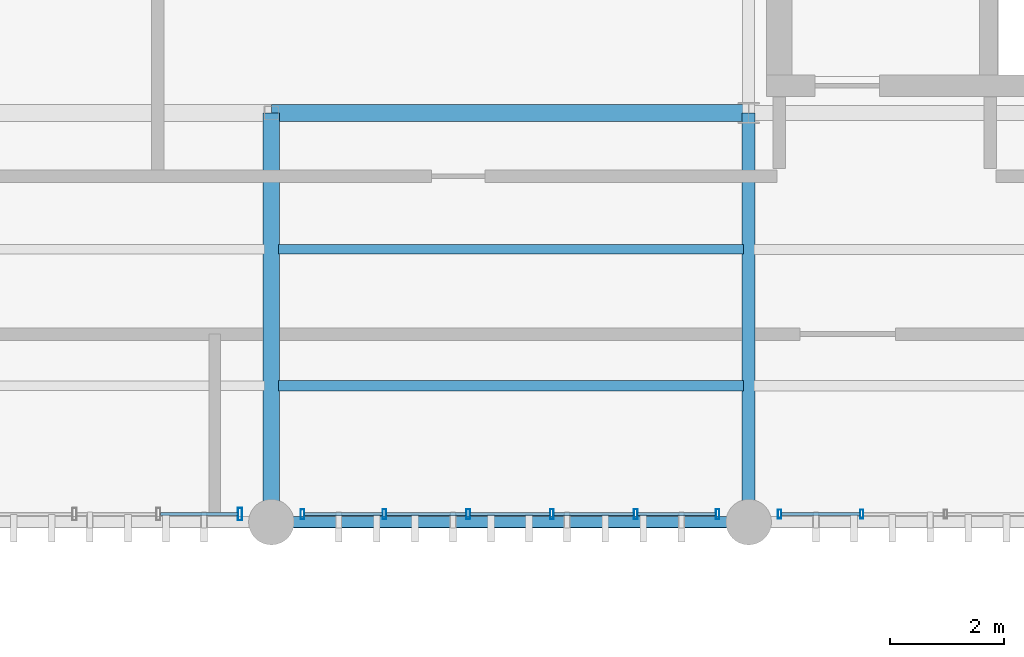
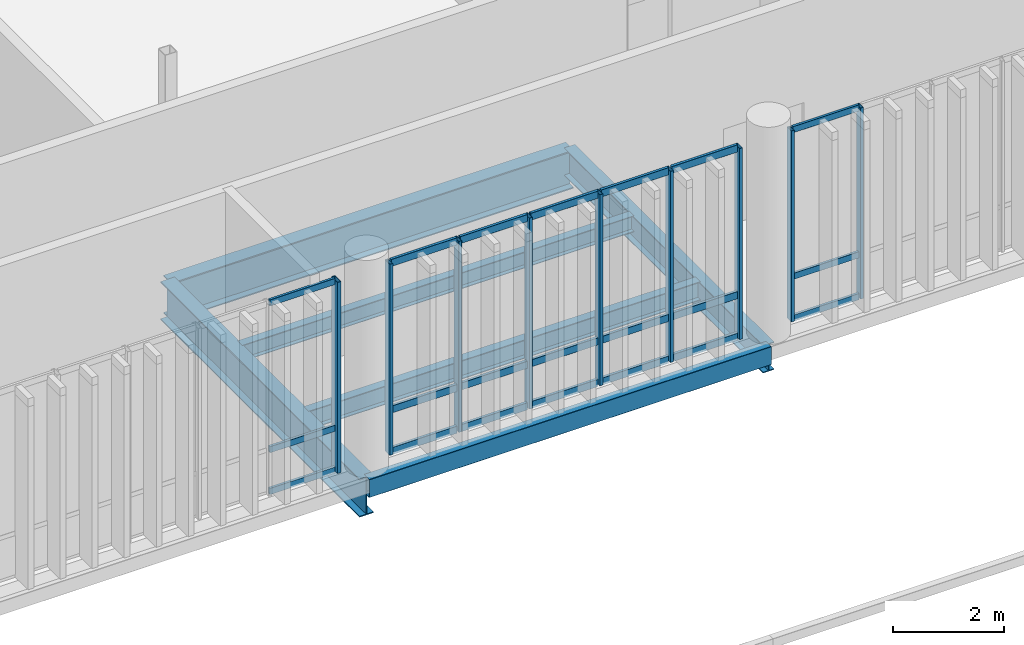
# One storey, part 37 of 94: 30 members, 6 beams, 3 elements without a shape of their own.
"""IFC4 building model written with IfcOpenShell, lengths in metres."""

from ifc_helpers import new_model, si_unit, direction, frame, origin_with_axes, origin_2d_with_axis, place, context, subcontext, project, spatial, hollow_rectangle, i_section, extrude, material, material_profile, profile_set, type_object, element, aggregate, save


model = new_model("IFC4")

# Units and contexts
model_context = context("Model", 3, precision=1e-05, world=origin_with_axes(), true_north=direction((0.0, 1.0)))
body_context = subcontext(model_context, "Body", "Model", "MODEL_VIEW")
ifc_project = project(units=[si_unit("LENGTHUNIT", "METRE"), si_unit("AREAUNIT", "SQUARE_METRE"), si_unit("VOLUMEUNIT", "CUBIC_METRE"), si_unit("PLANEANGLEUNIT", "RADIAN"), si_unit("MASSUNIT", "GRAM", prefix="KILO"), si_unit("THERMODYNAMICTEMPERATUREUNIT", "KELVIN")], contexts=[model_context])

# Site, building, storey
site_placement = place(None, origin_with_axes())
site = spatial("IfcSite", under=ifc_project, at=site_placement, CompositionType="ELEMENT")
building_placement = place(site_placement, origin_with_axes())
building = spatial("IfcBuilding", under=site, at=building_placement, Name="Montbau Bow Law Courts", CompositionType="ELEMENT")
storey_placement = place(building_placement, frame((0.0, 0.0, 15.6), z_axis=(0.0, 0.0, 1.0), x_axis=(1.0, 0.0, 0.0)))
storey = spatial("IfcBuildingStorey", under=building, at=storey_placement, Name="L03", CompositionType="ELEMENT", Elevation=15.6)

# Beams
ifc_material_1 = material(Name="Steel CSA G40.21 Grade 350W (350 MPa)", Category="steel")
ifc_material_profile_1 = material_profile(ifc_material_1, i_section(OverallWidth=0.293, OverallDepth=0.846, WebThickness=0.0154, FlangeThickness=0.0244, at=origin_2d_with_axis()), Name="W840X210", Category="Main", Priority=0)
ifc_profile_set_1 = profile_set([ifc_material_profile_1], Name="Steel CSA G40.21 Grade 350W (350 MPa)")
beam_type_1 = type_object("IfcBeamType", Name="B-FLR-02", PredefinedType="BEAM", material=ifc_profile_set_1)
beam_1_placement = place(None, frame((72.0, 46.2, 14.917), z_axis=(1.0, 0.0, 0.0), x_axis=(0.0, 1.0, 0.0)))
element("IfcBeam", 1, at=beam_1_placement, inside=storey, type_object=beam_type_1, Name="BM-L03-S0883:bm2_0886", PredefinedType="BEAM", context=body_context, shape_type="SweptSolid", body=[
    extrude(i_section(OverallWidth=0.293, OverallDepth=0.846, WebThickness=0.0154, FlangeThickness=0.0244, at=origin_2d_with_axis()), origin_with_axes(), (0.0, 0.0, 1.0), 8.4),
])
beam_2_placement = place(None, frame((72.0, 39.0, 14.917), z_axis=(0.0, 1.0, 0.0), x_axis=(-1.0, 0.0, 0.0)))
element("IfcBeam", 2, at=beam_2_placement, inside=storey, type_object=beam_type_1, Name="BM-L03-S0905:bm2_0908", PredefinedType="BEAM", context=body_context, shape_type="SweptSolid", body=[
    extrude(i_section(OverallWidth=0.293, OverallDepth=0.846, WebThickness=0.0154, FlangeThickness=0.0244, at=origin_2d_with_axis()), origin_with_axes(), (0.0, 0.0, 1.0), 7.2),
])
ifc_material_profile_2 = material_profile(ifc_material_1, i_section(OverallWidth=0.229, OverallDepth=0.612, WebThickness=0.0119, FlangeThickness=0.0196, at=origin_2d_with_axis()), Name="W610X125", Category="Main", Priority=0)
ifc_profile_set_2 = profile_set([ifc_material_profile_2], Name="Steel CSA G40.21 Grade 350W (350 MPa)")
beam_type_2 = type_object("IfcBeamType", Name="B-FLR-05", PredefinedType="BEAM", material=ifc_profile_set_2)
beam_3_placement = place(None, frame((80.4, 39.0, 15.034), z_axis=(0.0, 1.0, 0.0), x_axis=(-1.0, 0.0, 0.0)))
element("IfcBeam", 3, at=beam_3_placement, inside=storey, type_object=beam_type_2, Name="BM-L03-S0907:bm2_0910", PredefinedType="BEAM", context=body_context, shape_type="SweptSolid", body=[
    extrude(i_section(OverallWidth=0.229, OverallDepth=0.612, WebThickness=0.0119, FlangeThickness=0.0196, at=origin_2d_with_axis()), origin_with_axes(), (0.0, 0.0, 1.0), 7.2),
])
ifc_material_profile_3 = material_profile(ifc_material_1, i_section(OverallWidth=0.179, OverallDepth=0.41, WebThickness=0.0088, FlangeThickness=0.0144, at=origin_2d_with_axis()), Name="W410X67", Category="Main", Priority=0)
ifc_profile_set_3 = profile_set([ifc_material_profile_3], Name="Steel CSA G40.21 Grade 350W (350 MPa)")
beam_type_3 = type_object("IfcBeamType", Name="B-JST-02", PredefinedType="JOIST", material=ifc_profile_set_3)
beam_4_placement = place(None, frame((72.123, 41.4, 15.135), z_axis=(1.0, 0.0, 0.0), x_axis=(0.0, 1.0, 0.0)))
element("IfcBeam", 4, at=beam_4_placement, inside=storey, type_object=beam_type_3, Name="JST-L03-S0465:jst2_0465", PredefinedType="JOIST", context=body_context, shape_type="SweptSolid", body=[
    extrude(i_section(OverallWidth=0.179, OverallDepth=0.41, WebThickness=0.0088, FlangeThickness=0.0144, at=origin_2d_with_axis()), origin_with_axes(), (0.0, 0.0, 1.0), 8.186),
])
ifc_material_profile_4 = material_profile(ifc_material_1, i_section(OverallWidth=0.172, OverallDepth=0.358, WebThickness=0.0079, FlangeThickness=0.0131, at=origin_2d_with_axis()), Name="W360X57", Category="Main", Priority=0)
ifc_profile_set_4 = profile_set([ifc_material_profile_4], Name="Steel CSA G40.21 Grade 350W (350 MPa)")
beam_type_4 = type_object("IfcBeamType", Name="B-JST-03", PredefinedType="JOIST", material=ifc_profile_set_4)
beam_5_placement = place(None, frame((72.123, 43.8, 15.161), z_axis=(1.0, 0.0, 0.0), x_axis=(0.0, 1.0, 0.0)))
element("IfcBeam", 5, at=beam_5_placement, inside=storey, type_object=beam_type_4, Name="JST-L03-S0466:jst2_0466", PredefinedType="JOIST", context=body_context, shape_type="SweptSolid", body=[
    extrude(i_section(OverallWidth=0.172, OverallDepth=0.358, WebThickness=0.0079, FlangeThickness=0.0131, at=origin_2d_with_axis()), origin_with_axes(), (0.0, 0.0, 1.0), 8.186),
])
ifc_material_2 = material(Name="Steel CSA G40.21 Grade 350WT (350 MPa)", Category="steel")
ifc_material_profile_5 = material_profile(ifc_material_2, hollow_rectangle(XDim=0.203, YDim=0.406, WallThickness=0.0127, InnerFilletRadius=0.0254, OuterFilletRadius=0.0127, at=origin_2d_with_axis()), Name="HSS406X203X13", Category="Main", Priority=0)
ifc_profile_set_5 = profile_set([ifc_material_profile_5], Name="Steel CSA G40.21 Grade 350WT (350 MPa)")
beam_type_5 = type_object("IfcBeamType", Name="B-SPN-01", PredefinedType="SPANDREL", material=ifc_profile_set_5)
beam_6_placement = place(None, frame((72.0, 39.0, 15.137), z_axis=(1.0, 0.0, 0.0), x_axis=(0.0, 1.0, 0.0)))
element("IfcBeam", 6, at=beam_6_placement, inside=storey, type_object=beam_type_5, Name="SPN-L03-S0877:bm2_0880", PredefinedType="SPANDREL", context=body_context, shape_type="SweptSolid", body=[
    extrude(hollow_rectangle(XDim=0.203, YDim=0.406, WallThickness=0.0127, InnerFilletRadius=0.0254, OuterFilletRadius=0.0127, at=origin_2d_with_axis()), origin_with_axes(), (0.0, 0.0, 1.0), 8.4),
])

# Curtain wall, member
ifc_material_3 = material(Name="Thermally Broken Extruded Aluminium AA 6063-T6", Category="aluminium")
curtain_wall_type = type_object("IfcCurtainWallType", Name="CW-CRM-01", PredefinedType="NOTDEFINED", material=ifc_material_3)
curtain_wall_1_placement = place(None, frame((64.115, 39.14, 15.6), z_axis=(0.0, 0.0, 1.0), x_axis=(1.0, 0.0, 0.0)))
curtain_wall_1 = element("IfcCurtainWall", 7, at=curtain_wall_1_placement, inside=storey, type_object=curtain_wall_type, Name="CW-L03-177:cw_0177", PredefinedType="NOTDEFINED")
ifc_material_profile_6 = material_profile(ifc_material_3, hollow_rectangle(XDim=0.075, YDim=0.22, WallThickness=0.005, InnerFilletRadius=0.01, OuterFilletRadius=0.005, at=origin_2d_with_axis()), Name="CWM-220X75", Category="Main", Priority=0)
ifc_profile_set_6 = profile_set([ifc_material_profile_6], Name="Thermally Broken Extruded Aluminium AA 6063-T6")
member_type_1 = type_object("IfcMemberType", Name="M-MUL-01", PredefinedType="MULLION", material=ifc_profile_set_6)
member_1_placement = place(None, frame((71.448, 39.14, 15.6), z_axis=(0.0, 0.0, 1.0), x_axis=(1.0, 0.0, 0.0)))
member_1 = element("IfcMember", 8, at=member_1_placement, type_object=member_type_1, Name="CW-L03-177-M06:cw_0177_M06", PredefinedType="MULLION", context=body_context, shape_type="SweptSolid", body=[
    extrude(hollow_rectangle(XDim=0.075, YDim=0.22, WallThickness=0.005, InnerFilletRadius=0.01, OuterFilletRadius=0.005, at=origin_2d_with_axis()), origin_with_axes(), (0.0, 0.0, 1.0), 4.22),
])

# Curtain wall, members
curtain_wall_2_placement = place(None, frame((72.515, 39.14, 15.6), z_axis=(0.0, 0.0, 1.0), x_axis=(1.0, 0.0, 0.0)))
curtain_wall_2 = element("IfcCurtainWall", 9, at=curtain_wall_2_placement, inside=storey, type_object=curtain_wall_type, Name="CW-L03-178:cw_0178", PredefinedType="NOTDEFINED")
ifc_material_profile_7 = material_profile(ifc_material_3, hollow_rectangle(XDim=0.065, YDim=0.18, WallThickness=0.005, InnerFilletRadius=0.01, OuterFilletRadius=0.005, at=origin_2d_with_axis()), Name="CWM-180X65", Category="Main", Priority=0)
ifc_profile_set_7 = profile_set([ifc_material_profile_7], Name="Thermally Broken Extruded Aluminium AA 6063-T6")
member_type_2 = type_object("IfcMemberType", Name="M-MUL-02", PredefinedType="MULLION", material=ifc_profile_set_7)
member_2_placement = place(None, frame((72.548, 39.14, 15.6), z_axis=(0.0, 0.0, 1.0), x_axis=(1.0, 0.0, 0.0)))
member_2 = element("IfcMember", 10, at=member_2_placement, type_object=member_type_2, Name="CW-L03-178-M01:cw_0178_M01", PredefinedType="MULLION", context=body_context, shape_type="SweptSolid", body=[
    extrude(hollow_rectangle(XDim=0.065, YDim=0.18, WallThickness=0.005, InnerFilletRadius=0.01, OuterFilletRadius=0.005, at=origin_2d_with_axis()), origin_with_axes(), (0.0, 0.0, 1.0), 4.22),
])
member_3_placement = place(None, frame((73.989, 39.14, 15.6), z_axis=(0.0, 0.0, 1.0), x_axis=(1.0, 0.0, 0.0)))
member_3 = element("IfcMember", 11, at=member_3_placement, type_object=member_type_2, Name="CW-L03-178-M02:cw_0178_M02", PredefinedType="MULLION", context=body_context, shape_type="SweptSolid", body=[
    extrude(hollow_rectangle(XDim=0.065, YDim=0.18, WallThickness=0.005, InnerFilletRadius=0.01, OuterFilletRadius=0.005, at=origin_2d_with_axis()), origin_with_axes(), (0.0, 0.0, 1.0), 4.22),
])
member_4_placement = place(None, frame((75.463, 39.14, 15.6), z_axis=(0.0, 0.0, 1.0), x_axis=(1.0, 0.0, 0.0)))
member_4 = element("IfcMember", 12, at=member_4_placement, type_object=member_type_2, Name="CW-L03-178-M03:cw_0178_M03", PredefinedType="MULLION", context=body_context, shape_type="SweptSolid", body=[
    extrude(hollow_rectangle(XDim=0.065, YDim=0.18, WallThickness=0.005, InnerFilletRadius=0.01, OuterFilletRadius=0.005, at=origin_2d_with_axis()), origin_with_axes(), (0.0, 0.0, 1.0), 4.22),
])
member_5_placement = place(None, frame((76.937, 39.14, 15.6), z_axis=(0.0, 0.0, 1.0), x_axis=(1.0, 0.0, 0.0)))
member_5 = element("IfcMember", 13, at=member_5_placement, type_object=member_type_2, Name="CW-L03-178-M04:cw_0178_M04", PredefinedType="MULLION", context=body_context, shape_type="SweptSolid", body=[
    extrude(hollow_rectangle(XDim=0.065, YDim=0.18, WallThickness=0.005, InnerFilletRadius=0.01, OuterFilletRadius=0.005, at=origin_2d_with_axis()), origin_with_axes(), (0.0, 0.0, 1.0), 4.22),
])
member_6_placement = place(None, frame((78.411, 39.14, 15.6), z_axis=(0.0, 0.0, 1.0), x_axis=(1.0, 0.0, 0.0)))
member_6 = element("IfcMember", 14, at=member_6_placement, type_object=member_type_2, Name="CW-L03-178-M05:cw_0178_M05", PredefinedType="MULLION", context=body_context, shape_type="SweptSolid", body=[
    extrude(hollow_rectangle(XDim=0.065, YDim=0.18, WallThickness=0.005, InnerFilletRadius=0.01, OuterFilletRadius=0.005, at=origin_2d_with_axis()), origin_with_axes(), (0.0, 0.0, 1.0), 4.22),
])
member_7_placement = place(None, frame((79.853, 39.14, 15.6), z_axis=(0.0, 0.0, 1.0), x_axis=(1.0, 0.0, 0.0)))
member_7 = element("IfcMember", 15, at=member_7_placement, type_object=member_type_2, Name="CW-L03-178-M06:cw_0178_M06", PredefinedType="MULLION", context=body_context, shape_type="SweptSolid", body=[
    extrude(hollow_rectangle(XDim=0.065, YDim=0.18, WallThickness=0.005, InnerFilletRadius=0.01, OuterFilletRadius=0.005, at=origin_2d_with_axis()), origin_with_axes(), (0.0, 0.0, 1.0), 4.22),
])

curtain_wall_3_placement = place(None, frame((80.915, 39.14, 15.6), z_axis=(0.0, 0.0, 1.0), x_axis=(1.0, 0.0, 0.0)))
curtain_wall_3 = element("IfcCurtainWall", 16, at=curtain_wall_3_placement, inside=storey, type_object=curtain_wall_type, Name="CW-L03-179:cw_0179", PredefinedType="NOTDEFINED")
ifc_material_profile_8 = material_profile(ifc_material_3, hollow_rectangle(XDim=0.06, YDim=0.16, WallThickness=0.004, InnerFilletRadius=0.008, OuterFilletRadius=0.004, at=origin_2d_with_axis()), Name="CWM-160X60", Category="Main", Priority=0)
ifc_profile_set_8 = profile_set([ifc_material_profile_8], Name="Thermally Broken Extruded Aluminium AA 6063-T6")
member_type_3 = type_object("IfcMemberType", Name="M-MUL-03", PredefinedType="MULLION", material=ifc_profile_set_8)
member_8_placement = place(None, frame((80.945, 39.14, 15.6), z_axis=(0.0, 0.0, 1.0), x_axis=(1.0, 0.0, 0.0)))
member_8 = element("IfcMember", 17, at=member_8_placement, type_object=member_type_3, Name="CW-L03-179-M01:cw_0179_M01", PredefinedType="MULLION", context=body_context, shape_type="SweptSolid", body=[
    extrude(hollow_rectangle(XDim=0.06, YDim=0.16, WallThickness=0.004, InnerFilletRadius=0.008, OuterFilletRadius=0.004, at=origin_2d_with_axis()), origin_with_axes(), (0.0, 0.0, 1.0), 4.22),
])
member_9_placement = place(None, frame((82.389, 39.14, 15.6), z_axis=(0.0, 0.0, 1.0), x_axis=(1.0, 0.0, 0.0)))
member_9 = element("IfcMember", 18, at=member_9_placement, type_object=member_type_3, Name="CW-L03-179-M02:cw_0179_M02", PredefinedType="MULLION", context=body_context, shape_type="SweptSolid", body=[
    extrude(hollow_rectangle(XDim=0.06, YDim=0.16, WallThickness=0.004, InnerFilletRadius=0.008, OuterFilletRadius=0.004, at=origin_2d_with_axis()), origin_with_axes(), (0.0, 0.0, 1.0), 4.22),
])

# Member
ifc_material_profile_9 = material_profile(ifc_material_3, hollow_rectangle(XDim=0.06, YDim=0.16, WallThickness=0.004, InnerFilletRadius=0.008, OuterFilletRadius=0.004, at=origin_2d_with_axis()), Name="CWT-160X60", Category="Main", Priority=0)
ifc_profile_set_9 = profile_set([ifc_material_profile_9], Name="Thermally Broken Extruded Aluminium AA 6063-T6")
member_type_4 = type_object("IfcMemberType", Name="M-TRN-01", PredefinedType="USERDEFINED", material=ifc_profile_set_9)
member_10_placement = place(None, frame((72.583, 39.14, 15.63), z_axis=(1.0, 0.0, 0.0), x_axis=(0.0, 1.0, 0.0)))
member_10 = element("IfcMember", 19, at=member_10_placement, type_object=member_type_4, Name="CW-L03-178-T01-1:cw_0178_T01_1", ObjectType="TRANSOM", PredefinedType="USERDEFINED", context=body_context, shape_type="SweptSolid", body=[
    extrude(hollow_rectangle(XDim=0.06, YDim=0.16, WallThickness=0.004, InnerFilletRadius=0.008, OuterFilletRadius=0.004, at=origin_2d_with_axis()), origin_with_axes(), (0.0, 0.0, 1.0), 1.372),
])

member_11_placement = place(None, frame((72.583, 39.14, 16.55), z_axis=(1.0, 0.0, 0.0), x_axis=(0.0, 1.0, 0.0)))
member_11 = element("IfcMember", 20, at=member_11_placement, type_object=member_type_4, Name="CW-L03-178-T01-2:cw_0178_T01_2", ObjectType="TRANSOM", PredefinedType="USERDEFINED", context=body_context, shape_type="SweptSolid", body=[
    extrude(hollow_rectangle(XDim=0.06, YDim=0.16, WallThickness=0.004, InnerFilletRadius=0.008, OuterFilletRadius=0.004, at=origin_2d_with_axis()), origin_with_axes(), (0.0, 0.0, 1.0), 1.372),
])

member_12_placement = place(None, frame((72.583, 39.14, 19.79), z_axis=(1.0, 0.0, 0.0), x_axis=(0.0, 1.0, 0.0)))
member_12 = element("IfcMember", 21, at=member_12_placement, type_object=member_type_4, Name="CW-L03-178-T01-3:cw_0178_T01_3", ObjectType="TRANSOM", PredefinedType="USERDEFINED", context=body_context, shape_type="SweptSolid", body=[
    extrude(hollow_rectangle(XDim=0.06, YDim=0.16, WallThickness=0.004, InnerFilletRadius=0.008, OuterFilletRadius=0.004, at=origin_2d_with_axis()), origin_with_axes(), (0.0, 0.0, 1.0), 1.372),
])

member_13_placement = place(None, frame((74.023, 39.14, 15.63), z_axis=(1.0, 0.0, 0.0), x_axis=(0.0, 1.0, 0.0)))
member_13 = element("IfcMember", 22, at=member_13_placement, type_object=member_type_4, Name="CW-L03-178-T02-1:cw_0178_T02_1", ObjectType="TRANSOM", PredefinedType="USERDEFINED", context=body_context, shape_type="SweptSolid", body=[
    extrude(hollow_rectangle(XDim=0.06, YDim=0.16, WallThickness=0.004, InnerFilletRadius=0.008, OuterFilletRadius=0.004, at=origin_2d_with_axis()), origin_with_axes(), (0.0, 0.0, 1.0), 1.405),
])

member_14_placement = place(None, frame((74.023, 39.14, 16.55), z_axis=(1.0, 0.0, 0.0), x_axis=(0.0, 1.0, 0.0)))
member_14 = element("IfcMember", 23, at=member_14_placement, type_object=member_type_4, Name="CW-L03-178-T02-2:cw_0178_T02_2", ObjectType="TRANSOM", PredefinedType="USERDEFINED", context=body_context, shape_type="SweptSolid", body=[
    extrude(hollow_rectangle(XDim=0.06, YDim=0.16, WallThickness=0.004, InnerFilletRadius=0.008, OuterFilletRadius=0.004, at=origin_2d_with_axis()), origin_with_axes(), (0.0, 0.0, 1.0), 1.405),
])

member_15_placement = place(None, frame((74.023, 39.14, 19.79), z_axis=(1.0, 0.0, 0.0), x_axis=(0.0, 1.0, 0.0)))
member_15 = element("IfcMember", 24, at=member_15_placement, type_object=member_type_4, Name="CW-L03-178-T02-3:cw_0178_T02_3", ObjectType="TRANSOM", PredefinedType="USERDEFINED", context=body_context, shape_type="SweptSolid", body=[
    extrude(hollow_rectangle(XDim=0.06, YDim=0.16, WallThickness=0.004, InnerFilletRadius=0.008, OuterFilletRadius=0.004, at=origin_2d_with_axis()), origin_with_axes(), (0.0, 0.0, 1.0), 1.405),
])

member_16_placement = place(None, frame((75.497, 39.14, 15.63), z_axis=(1.0, 0.0, 0.0), x_axis=(0.0, 1.0, 0.0)))
member_16 = element("IfcMember", 25, at=member_16_placement, type_object=member_type_4, Name="CW-L03-178-T03-1:cw_0178_T03_1", ObjectType="TRANSOM", PredefinedType="USERDEFINED", context=body_context, shape_type="SweptSolid", body=[
    extrude(hollow_rectangle(XDim=0.06, YDim=0.16, WallThickness=0.004, InnerFilletRadius=0.008, OuterFilletRadius=0.004, at=origin_2d_with_axis()), origin_with_axes(), (0.0, 0.0, 1.0), 1.406),
])

member_17_placement = place(None, frame((75.497, 39.14, 16.55), z_axis=(1.0, 0.0, 0.0), x_axis=(0.0, 1.0, 0.0)))
member_17 = element("IfcMember", 26, at=member_17_placement, type_object=member_type_4, Name="CW-L03-178-T03-2:cw_0178_T03_2", ObjectType="TRANSOM", PredefinedType="USERDEFINED", context=body_context, shape_type="SweptSolid", body=[
    extrude(hollow_rectangle(XDim=0.06, YDim=0.16, WallThickness=0.004, InnerFilletRadius=0.008, OuterFilletRadius=0.004, at=origin_2d_with_axis()), origin_with_axes(), (0.0, 0.0, 1.0), 1.406),
])

member_18_placement = place(None, frame((75.497, 39.14, 19.79), z_axis=(1.0, 0.0, 0.0), x_axis=(0.0, 1.0, 0.0)))
member_18 = element("IfcMember", 27, at=member_18_placement, type_object=member_type_4, Name="CW-L03-178-T03-3:cw_0178_T03_3", ObjectType="TRANSOM", PredefinedType="USERDEFINED", context=body_context, shape_type="SweptSolid", body=[
    extrude(hollow_rectangle(XDim=0.06, YDim=0.16, WallThickness=0.004, InnerFilletRadius=0.008, OuterFilletRadius=0.004, at=origin_2d_with_axis()), origin_with_axes(), (0.0, 0.0, 1.0), 1.406),
])

member_19_placement = place(None, frame((76.971, 39.14, 15.63), z_axis=(1.0, 0.0, 0.0), x_axis=(0.0, 1.0, 0.0)))
member_19 = element("IfcMember", 28, at=member_19_placement, type_object=member_type_4, Name="CW-L03-178-T04-1:cw_0178_T04_1", ObjectType="TRANSOM", PredefinedType="USERDEFINED", context=body_context, shape_type="SweptSolid", body=[
    extrude(hollow_rectangle(XDim=0.06, YDim=0.16, WallThickness=0.004, InnerFilletRadius=0.008, OuterFilletRadius=0.004, at=origin_2d_with_axis()), origin_with_axes(), (0.0, 0.0, 1.0), 1.406),
])

member_20_placement = place(None, frame((76.971, 39.14, 16.55), z_axis=(1.0, 0.0, 0.0), x_axis=(0.0, 1.0, 0.0)))
member_20 = element("IfcMember", 29, at=member_20_placement, type_object=member_type_4, Name="CW-L03-178-T04-2:cw_0178_T04_2", ObjectType="TRANSOM", PredefinedType="USERDEFINED", context=body_context, shape_type="SweptSolid", body=[
    extrude(hollow_rectangle(XDim=0.06, YDim=0.16, WallThickness=0.004, InnerFilletRadius=0.008, OuterFilletRadius=0.004, at=origin_2d_with_axis()), origin_with_axes(), (0.0, 0.0, 1.0), 1.406),
])

member_21_placement = place(None, frame((76.971, 39.14, 19.79), z_axis=(1.0, 0.0, 0.0), x_axis=(0.0, 1.0, 0.0)))
member_21 = element("IfcMember", 30, at=member_21_placement, type_object=member_type_4, Name="CW-L03-178-T04-3:cw_0178_T04_3", ObjectType="TRANSOM", PredefinedType="USERDEFINED", context=body_context, shape_type="SweptSolid", body=[
    extrude(hollow_rectangle(XDim=0.06, YDim=0.16, WallThickness=0.004, InnerFilletRadius=0.008, OuterFilletRadius=0.004, at=origin_2d_with_axis()), origin_with_axes(), (0.0, 0.0, 1.0), 1.406),
])

member_22_placement = place(None, frame((78.445, 39.14, 15.63), z_axis=(1.0, 0.0, 0.0), x_axis=(0.0, 1.0, 0.0)))
member_22 = element("IfcMember", 31, at=member_22_placement, type_object=member_type_4, Name="CW-L03-178-T05-1:cw_0178_T05_1", ObjectType="TRANSOM", PredefinedType="USERDEFINED", context=body_context, shape_type="SweptSolid", body=[
    extrude(hollow_rectangle(XDim=0.06, YDim=0.16, WallThickness=0.004, InnerFilletRadius=0.008, OuterFilletRadius=0.004, at=origin_2d_with_axis()), origin_with_axes(), (0.0, 0.0, 1.0), 1.374),
])

member_23_placement = place(None, frame((78.445, 39.14, 16.55), z_axis=(1.0, 0.0, 0.0), x_axis=(0.0, 1.0, 0.0)))
member_23 = element("IfcMember", 32, at=member_23_placement, type_object=member_type_4, Name="CW-L03-178-T05-2:cw_0178_T05_2", ObjectType="TRANSOM", PredefinedType="USERDEFINED", context=body_context, shape_type="SweptSolid", body=[
    extrude(hollow_rectangle(XDim=0.06, YDim=0.16, WallThickness=0.004, InnerFilletRadius=0.008, OuterFilletRadius=0.004, at=origin_2d_with_axis()), origin_with_axes(), (0.0, 0.0, 1.0), 1.374),
])

member_24_placement = place(None, frame((78.445, 39.14, 19.79), z_axis=(1.0, 0.0, 0.0), x_axis=(0.0, 1.0, 0.0)))
member_24 = element("IfcMember", 33, at=member_24_placement, type_object=member_type_4, Name="CW-L03-178-T05-3:cw_0178_T05_3", ObjectType="TRANSOM", PredefinedType="USERDEFINED", context=body_context, shape_type="SweptSolid", body=[
    extrude(hollow_rectangle(XDim=0.06, YDim=0.16, WallThickness=0.004, InnerFilletRadius=0.008, OuterFilletRadius=0.004, at=origin_2d_with_axis()), origin_with_axes(), (0.0, 0.0, 1.0), 1.374),
])

aggregate(curtain_wall_2, [member_2, member_3, member_4, member_5, member_6, member_7, member_10, member_11, member_12, member_13, member_14, member_15, member_16, member_17, member_18, member_19, member_20, member_21, member_22, member_23, member_24])

ifc_material_profile_10 = material_profile(ifc_material_3, hollow_rectangle(XDim=0.055, YDim=0.14, WallThickness=0.004, InnerFilletRadius=0.008, OuterFilletRadius=0.004, at=origin_2d_with_axis()), Name="CWT-140X55", Category="Main", Priority=0)
ifc_profile_set_10 = profile_set([ifc_material_profile_10], Name="Thermally Broken Extruded Aluminium AA 6063-T6")
member_type_5 = type_object("IfcMemberType", Name="M-TRN-02", PredefinedType="USERDEFINED", material=ifc_profile_set_10)
member_25_placement = place(None, frame((70.05, 39.14, 15.627), z_axis=(1.0, 0.0, 0.0), x_axis=(0.0, 1.0, 0.0)))
member_25 = element("IfcMember", 34, at=member_25_placement, type_object=member_type_5, Name="CW-L03-177-T05-1:cw_0177_T05_1", ObjectType="TRANSOM", PredefinedType="USERDEFINED", context=body_context, shape_type="SweptSolid", body=[
    extrude(hollow_rectangle(XDim=0.055, YDim=0.14, WallThickness=0.004, InnerFilletRadius=0.008, OuterFilletRadius=0.004, at=origin_2d_with_axis()), origin_with_axes(), (0.0, 0.0, 1.0), 1.359),
])

member_26_placement = place(None, frame((70.05, 39.14, 16.55), z_axis=(1.0, 0.0, 0.0), x_axis=(0.0, 1.0, 0.0)))
member_26 = element("IfcMember", 35, at=member_26_placement, type_object=member_type_5, Name="CW-L03-177-T05-2:cw_0177_T05_2", ObjectType="TRANSOM", PredefinedType="USERDEFINED", context=body_context, shape_type="SweptSolid", body=[
    extrude(hollow_rectangle(XDim=0.055, YDim=0.14, WallThickness=0.004, InnerFilletRadius=0.008, OuterFilletRadius=0.004, at=origin_2d_with_axis()), origin_with_axes(), (0.0, 0.0, 1.0), 1.359),
])

member_27_placement = place(None, frame((70.05, 39.14, 19.793), z_axis=(1.0, 0.0, 0.0), x_axis=(0.0, 1.0, 0.0)))
member_27 = element("IfcMember", 36, at=member_27_placement, type_object=member_type_5, Name="CW-L03-177-T05-3:cw_0177_T05_3", ObjectType="TRANSOM", PredefinedType="USERDEFINED", context=body_context, shape_type="SweptSolid", body=[
    extrude(hollow_rectangle(XDim=0.055, YDim=0.14, WallThickness=0.004, InnerFilletRadius=0.008, OuterFilletRadius=0.004, at=origin_2d_with_axis()), origin_with_axes(), (0.0, 0.0, 1.0), 1.359),
])

aggregate(curtain_wall_1, [member_1, member_25, member_26, member_27])

member_28_placement = place(None, frame((80.977, 39.14, 15.627), z_axis=(1.0, 0.0, 0.0), x_axis=(0.0, 1.0, 0.0)))
member_28 = element("IfcMember", 37, at=member_28_placement, type_object=member_type_5, Name="CW-L03-179-T01-1:cw_0179_T01_1", ObjectType="TRANSOM", PredefinedType="USERDEFINED", context=body_context, shape_type="SweptSolid", body=[
    extrude(hollow_rectangle(XDim=0.055, YDim=0.14, WallThickness=0.004, InnerFilletRadius=0.008, OuterFilletRadius=0.004, at=origin_2d_with_axis()), origin_with_axes(), (0.0, 0.0, 1.0), 1.38),
])

member_29_placement = place(None, frame((80.977, 39.14, 16.55), z_axis=(1.0, 0.0, 0.0), x_axis=(0.0, 1.0, 0.0)))
member_29 = element("IfcMember", 38, at=member_29_placement, type_object=member_type_5, Name="CW-L03-179-T01-2:cw_0179_T01_2", ObjectType="TRANSOM", PredefinedType="USERDEFINED", context=body_context, shape_type="SweptSolid", body=[
    extrude(hollow_rectangle(XDim=0.055, YDim=0.14, WallThickness=0.004, InnerFilletRadius=0.008, OuterFilletRadius=0.004, at=origin_2d_with_axis()), origin_with_axes(), (0.0, 0.0, 1.0), 1.38),
])

member_30_placement = place(None, frame((80.977, 39.14, 19.793), z_axis=(1.0, 0.0, 0.0), x_axis=(0.0, 1.0, 0.0)))
member_30 = element("IfcMember", 39, at=member_30_placement, type_object=member_type_5, Name="CW-L03-179-T01-3:cw_0179_T01_3", ObjectType="TRANSOM", PredefinedType="USERDEFINED", context=body_context, shape_type="SweptSolid", body=[
    extrude(hollow_rectangle(XDim=0.055, YDim=0.14, WallThickness=0.004, InnerFilletRadius=0.008, OuterFilletRadius=0.004, at=origin_2d_with_axis()), origin_with_axes(), (0.0, 0.0, 1.0), 1.38),
])

aggregate(curtain_wall_3, [member_8, member_9, member_28, member_29, member_30])

save(model, "model.ifc")
